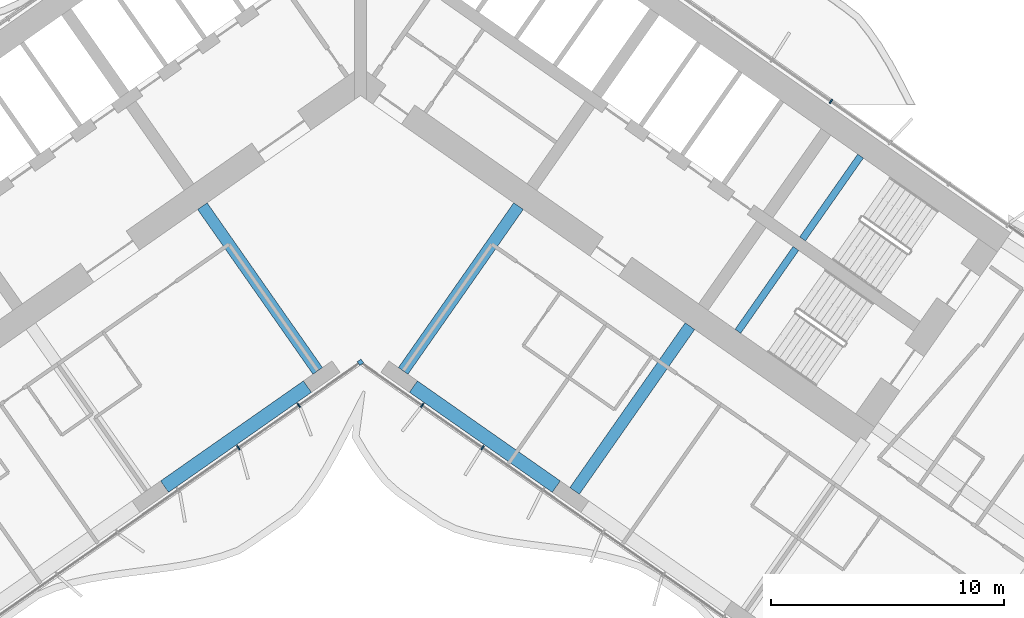
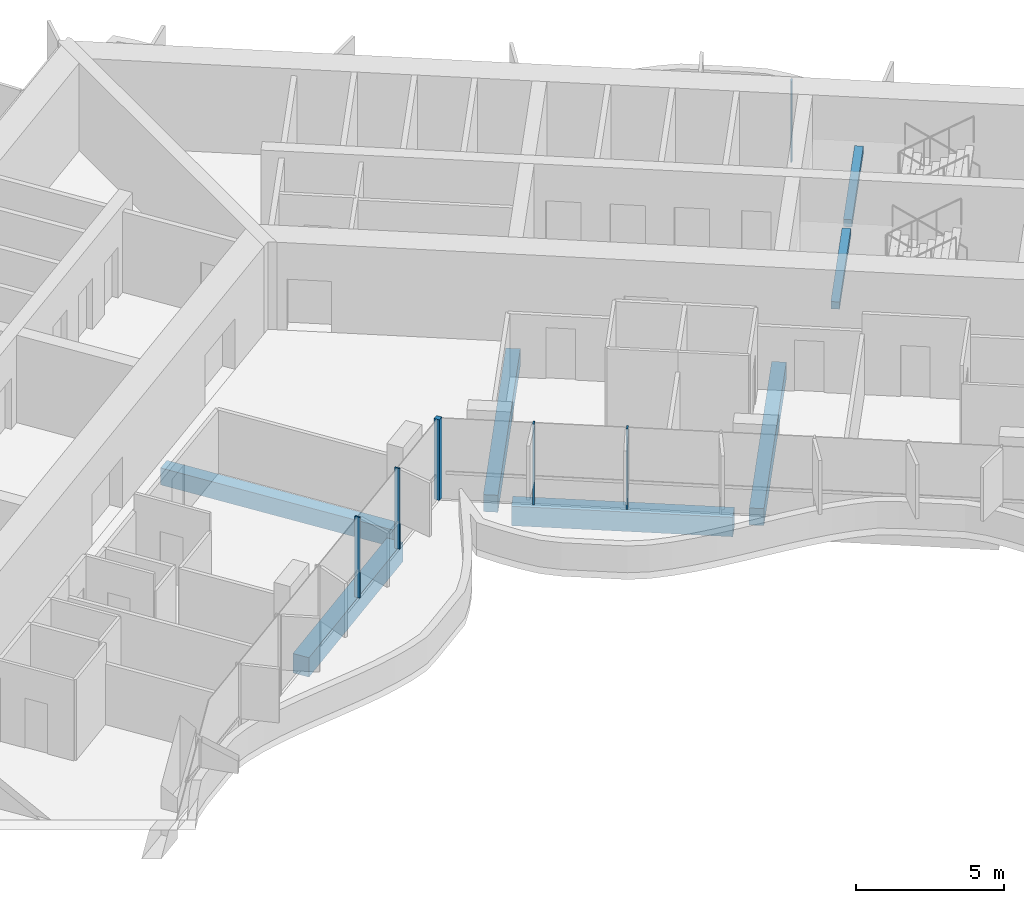
# One storey, part 6 of 23: 7 beams, 6 members, 2 elements without a shape of their own.
"""IFC4 building model written with IfcOpenShell, lengths in metres."""

from ifc_helpers import new_model, si_unit, direction, frame, origin, origin_2d, place, context, subcontext, project, spatial, rectangle, extrude, material, material_profile, profile_set, type_object, element, aggregate, save


model = new_model("IFC4")

# Units and contexts
model_context = context("Model", 3, precision=1e-05, world=origin(), true_north=direction((0.0, 1.0)))
body_context = subcontext(model_context, "Body", "Model", "MODEL_VIEW")
ifc_project = project(units=[si_unit("LENGTHUNIT", "METRE"), si_unit("AREAUNIT", "SQUARE_METRE"), si_unit("VOLUMEUNIT", "CUBIC_METRE"), si_unit("PLANEANGLEUNIT", "RADIAN"), si_unit("MASSUNIT", "GRAM", prefix="KILO")], contexts=[model_context])

# Site, building, storey
site_placement = place(None, origin())
site = spatial("IfcSite", under=ifc_project, at=site_placement, CompositionType="ELEMENT")
building_placement = place(site_placement, origin())
building = spatial("IfcBuilding", under=site, at=building_placement, Name="Tel Ilan Convention Tower", CompositionType="ELEMENT")
storey_placement = place(building_placement, frame((0.0, 0.0, 104.89990234375)))
storey = spatial("IfcBuildingStorey", under=building, at=storey_placement, Name="L22", CompositionType="ELEMENT", Elevation=104.89990234375)

# Beams
ifc_material_1 = material(Name="Concrete C40/50", Category="concrete")
ifc_material_profile_1 = material_profile(ifc_material_1, rectangle(XDim=0.5, YDim=0.699951171875, at=origin_2d()), Name="RC 500x700")
ifc_profile_set_1 = profile_set([ifc_material_profile_1], Name="Concrete C40/50")
beam_type_1 = type_object("IfcBeamType", Name="Beam RC 500x700 Concrete C40/50", PredefinedType="BEAM", material=ifc_profile_set_1)
for number, where, z_axis, x_axis, name in (
    (1, (-1.83740234375, -13.06689453125, -0.6298828125), (-0.573574099654, 0.819153680457, 0.0), (-0.819153680457, -0.573574099654, 0.0), "L22 beam W-W-F1-core"),
    (2, (1.83740234375, -13.06689453125, -0.6298828125), (0.573574099654, 0.819153680457, 0.0), (-0.819153680457, 0.573574099654, 0.0), "L22 beam E-E-F1-core"),
    (3, (9.209716796875, -18.229248046875, -0.6298828125), (0.573574099654, 0.819153680457, 0.0), (-0.819153680457, 0.573574099654, 0.0), "L22 beam E-E-F2-core"),
):
    element("IfcBeam", number, at=place(storey_placement, frame(where, z_axis=z_axis, x_axis=x_axis)), inside=storey, type_object=beam_type_1, Name=name, PredefinedType="BEAM", context=body_context, shape_type="SweptSolid", body=[
        extrude(rectangle(XDim=0.5, YDim=0.699951171875, at=origin_2d()), origin(), (0.0, 0.0, 1.0), 8.64990234375),
    ])
ifc_material_2 = material(Name="Concrete C40/50", Category="concrete")
ifc_material_profile_2 = material_profile(ifc_material_2, rectangle(XDim=0.60009765625, YDim=0.800048828125, at=origin_2d()), Name="RC 600x800")
ifc_profile_set_2 = profile_set([ifc_material_profile_2], Name="Concrete C40/50")
beam_type_2 = type_object("IfcBeamType", Name="Beam RC 600x800 Concrete C40/50", PredefinedType="BEAM", material=ifc_profile_set_2)
for number, where, z_axis, x_axis, name in (
    (4, (-2.279541015625, -13.742919921875, -0.679931640625), (-0.819147803225, -0.57358249317, 0.0), (0.57358249317, -0.819147803225, 0.0), "L22 beam W-W-F1-W-F2"),
    (5, (2.279541015625, -13.742919921875, -0.679931640625), (0.819147803225, -0.57358249317, 0.0), (0.57358249317, 0.819147803225, 0.0), "L22 beam E-E-F1-E-F2"),
):
    element("IfcBeam", number, at=place(storey_placement, frame(where, z_axis=z_axis, x_axis=x_axis)), inside=storey, type_object=beam_type_2, Name=name, PredefinedType="BEAM", context=body_context, shape_type="SweptSolid", body=[
        extrude(rectangle(XDim=0.60009765625, YDim=0.800048828125, at=origin_2d()), origin(), (0.0, 0.0, 1.0), 7.500244140625),
    ])

# Curtain wall, member
ifc_material_3 = material(Name="Aluminium, bronze anodised", Category="aluminium")
curtain_wall_type_1 = type_object("IfcCurtainWallType", Name="CW1 UNITISED CURTAIN WALL, HOTEL TINTED GLASS", PredefinedType="NOTDEFINED", material=ifc_material_3)
curtain_wall_1_placement = place(storey_placement, origin())
curtain_wall_1 = element("IfcCurtainWall", 6, at=curtain_wall_1_placement, inside=storey, type_object=curtain_wall_type_1, Name="Curtain wall CW1-19.02", PredefinedType="NOTDEFINED")
ifc_material_4 = material(Name="Aluminium, bronze anodised", Category="aluminium")
ifc_material_profile_3 = material_profile(ifc_material_4, rectangle(XDim=0.199951171875, YDim=0.199951171875, at=origin_2d()), Name="CW CORNER MULLION 200x200")
ifc_profile_set_3 = profile_set([ifc_material_profile_3], Name="Aluminium, bronze anodised")
member_type_1 = type_object("IfcMemberType", Name="CW CORNER MULLION 200x200", PredefinedType="MULLION", material=ifc_profile_set_3)
member_1_placement = place(storey_placement, frame((0.0, -12.696044921875, 0.0), z_axis=(0.0, 0.0, 1.0), x_axis=(0.819152044289, 0.573576436351, 0.0)))
member_1 = element("IfcMember", 7, at=member_1_placement, type_object=member_type_1, Name="Corner mullion", PredefinedType="MULLION", context=body_context, shape_type="SweptSolid", body=[
    extrude(rectangle(XDim=0.199951171875, YDim=0.199951171875, at=origin_2d()), origin(), (0.0, 0.0, 1.0), 3.320068359375),
])

ifc_material_5 = material(Name="Aluminium, bronze anodised", Category="aluminium")
curtain_wall_type_2 = type_object("IfcCurtainWallType", Name="CW2 STICK CURTAIN WALL, SPANDREL PANELS", PredefinedType="NOTDEFINED", material=ifc_material_5)
curtain_wall_2_placement = place(storey_placement, origin())
curtain_wall_2 = element("IfcCurtainWall", 8, at=curtain_wall_2_placement, inside=storey, type_object=curtain_wall_type_2, Name="Curtain wall CW2-19.01", PredefinedType="NOTDEFINED")
ifc_material_6 = material(Name="Aluminium, bronze anodised", Category="aluminium")
ifc_material_profile_4 = material_profile(ifc_material_6, rectangle(XDim=0.06005859375, YDim=0.199951171875, at=origin_2d()), Name="CW MULLION 60x200")
ifc_profile_set_4 = profile_set([ifc_material_profile_4], Name="Aluminium, bronze anodised")
member_type_2 = type_object("IfcMemberType", Name="CW MULLION 60x200", PredefinedType="MULLION", material=ifc_profile_set_4)
member_2_placement = place(storey_placement, frame((20.238037109375, -1.474853515625, 0.0), z_axis=(0.0, 0.0, 1.0), x_axis=(-0.819152044289, 0.573576436351, 0.0)))
member_2 = element("IfcMember", 9, at=member_2_placement, type_object=member_type_2, Name="Mullion", PredefinedType="MULLION", context=body_context, shape_type="SweptSolid", body=[
    extrude(rectangle(XDim=0.06005859375, YDim=0.199951171875, at=origin_2d()), origin(), (0.0, 0.0, 1.0), 3.320068359375),
])
aggregate(curtain_wall_2, [member_2])

# Member
member_3_placement = place(storey_placement, frame((-5.24755859375, -16.370361328125, 0.0), z_axis=(0.0, 0.0, 1.0), x_axis=(0.819152044289, 0.573576436351, 0.0)))
member_3 = element("IfcMember", 10, at=member_3_placement, type_object=member_type_2, Name="Mullion", PredefinedType="MULLION", context=body_context, shape_type="SweptSolid", body=[
    extrude(rectangle(XDim=0.06005859375, YDim=0.199951171875, at=origin_2d()), origin(), (0.0, 0.0, 1.0), 3.320068359375),
])

member_4_placement = place(storey_placement, frame((-2.65234375, -14.55322265625, 0.0), z_axis=(0.0, 0.0, 1.0), x_axis=(0.819152044289, 0.573576436351, 0.0)))
member_4 = element("IfcMember", 11, at=member_4_placement, type_object=member_type_2, Name="Mullion", PredefinedType="MULLION", context=body_context, shape_type="SweptSolid", body=[
    extrude(rectangle(XDim=0.06005859375, YDim=0.199951171875, at=origin_2d()), origin(), (0.0, 0.0, 1.0), 3.320068359375),
])

member_5_placement = place(storey_placement, frame((2.65234375, -14.55322265625, 0.0), z_axis=(0.0, 0.0, 1.0), x_axis=(0.819152044289, -0.573576436351, 0.0)))
member_5 = element("IfcMember", 12, at=member_5_placement, type_object=member_type_2, Name="Mullion", PredefinedType="MULLION", context=body_context, shape_type="SweptSolid", body=[
    extrude(rectangle(XDim=0.06005859375, YDim=0.199951171875, at=origin_2d()), origin(), (0.0, 0.0, 1.0), 3.320068359375),
])

member_6_placement = place(storey_placement, frame((5.24755859375, -16.370361328125, 0.0), z_axis=(0.0, 0.0, 1.0), x_axis=(0.819152044289, -0.573576436351, 0.0)))
member_6 = element("IfcMember", 13, at=member_6_placement, type_object=member_type_2, Name="Mullion", PredefinedType="MULLION", context=body_context, shape_type="SweptSolid", body=[
    extrude(rectangle(XDim=0.06005859375, YDim=0.199951171875, at=origin_2d()), origin(), (0.0, 0.0, 1.0), 3.320068359375),
])

aggregate(curtain_wall_1, [member_3, member_4, member_1, member_5, member_6])

# Beams
ifc_material_7 = material(Name="Concrete C40/50", Category="concrete")
ifc_material_profile_5 = material_profile(ifc_material_7, rectangle(XDim=0.300048828125, YDim=0.300048828125, at=origin_2d()), Name="RC 300x300")
ifc_profile_set_5 = profile_set([ifc_material_profile_5], Name="Concrete C40/50")
beam_type_3 = type_object("IfcBeamType", Name="Landing Beam RC 300x300 Concrete C40/50", PredefinedType="BEAM", material=ifc_profile_set_5)
beam_1_placement = place(storey_placement, frame((21.5087890625, -3.829345703125, 1.4501953125), z_axis=(-0.57356780395, -0.819158088694, 0.0), x_axis=(0.819158088694, -0.57356780395, 0.0)))
element("IfcBeam", 14, at=beam_1_placement, inside=storey, type_object=beam_type_3, Name="S3 landing beam L22.1", PredefinedType="BEAM", context=body_context, shape_type="SweptSolid", body=[
    extrude(rectangle(XDim=0.300048828125, YDim=0.300048828125, at=origin_2d()), origin(), (0.0, 0.0, 1.0), 4.35009765625),
])
beam_2_placement = place(storey_placement, frame((18.726806640625, -7.80224609375, 1.4501953125), z_axis=(-0.573594173421, -0.819139624372, 0.0), x_axis=(0.819139624372, -0.573594173421, 0.0)))
element("IfcBeam", 15, at=beam_2_placement, inside=storey, type_object=beam_type_3, Name="S4 landing beam L22.1", PredefinedType="BEAM", context=body_context, shape_type="SweptSolid", body=[
    extrude(rectangle(XDim=0.300048828125, YDim=0.300048828125, at=origin_2d()), origin(), (0.0, 0.0, 1.0), 4.349853515625),
])

save(model, "model.ifc")
